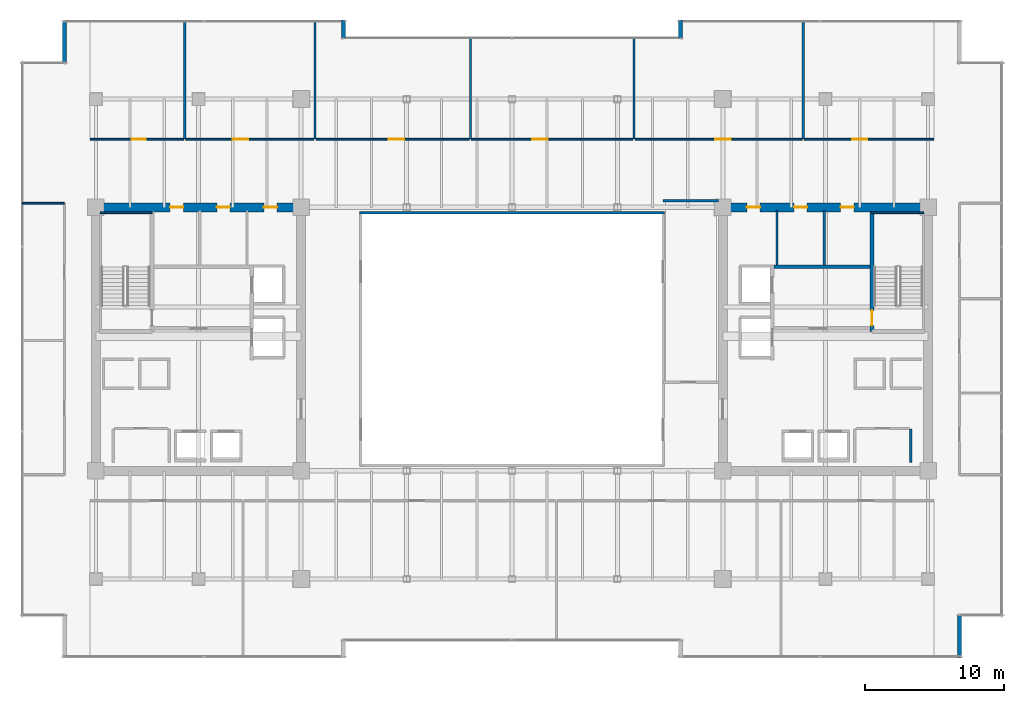
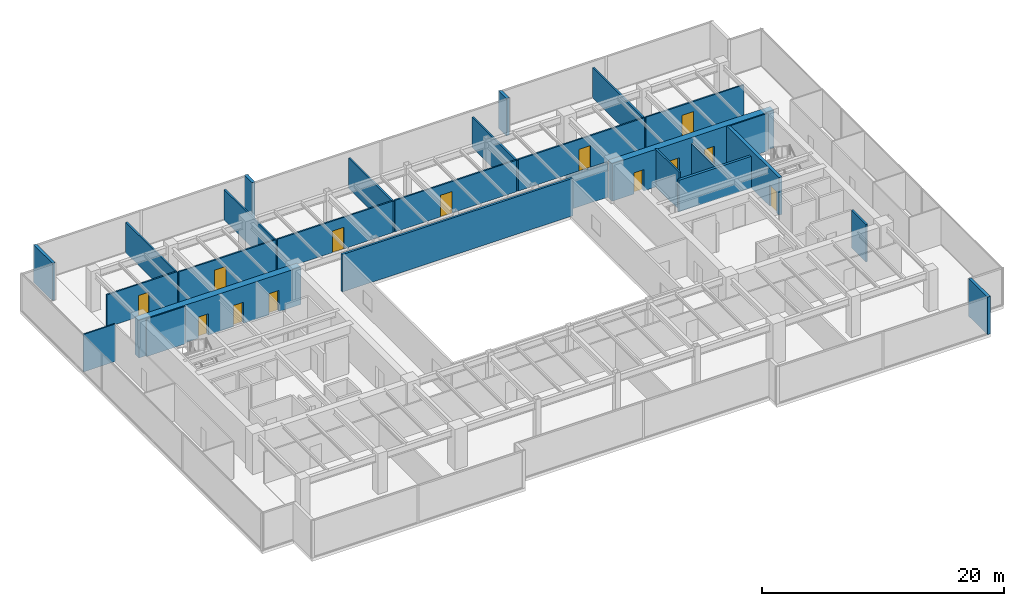
# One storey, part 27 of 33: 27 walls, 13 doors, 13 openings.
"""IFC4 building model written with IfcOpenShell, lengths in metres."""

from ifc_helpers import new_model, si_unit, direction, frame, frame_2d, origin, place, context, subcontext, project, spatial, rectangle, extrude, source, transform, mapped, material, layer, layer_set, type_object, type_shapes, element, fill, save


model = new_model("IFC4")

# Units and contexts
model_context = context("Model", 3, precision=1e-05, world=origin(), true_north=direction((0.0, 1.0)))
body_context = subcontext(model_context, "Body", "Model", "MODEL_VIEW")
ifc_project = project(units=[si_unit("LENGTHUNIT", "METRE"), si_unit("AREAUNIT", "SQUARE_METRE"), si_unit("VOLUMEUNIT", "CUBIC_METRE"), si_unit("PLANEANGLEUNIT", "RADIAN"), si_unit("MASSUNIT", "GRAM", prefix="KILO")], contexts=[model_context])

# Site, building, storey
site_placement = place(None, origin())
site = spatial("IfcSite", under=ifc_project, at=site_placement, CompositionType="ELEMENT")
building_placement = place(site_placement, origin())
building = spatial("IfcBuilding", under=site, at=building_placement, Name="Haelvirn Gate Laboratories", CompositionType="ELEMENT")
storey_placement = place(building_placement, frame((0.0, 0.0, 166.60009765625)))
storey = spatial("IfcBuildingStorey", under=building, at=storey_placement, Name="L40", CompositionType="ELEMENT", Elevation=166.60009765625)

# Walls
ifc_material_1 = material(Name="Thermally-broken bronze aluminium rainscreen & mineral wool", Category="aluminium")
ifc_layer_1 = layer(ifc_material_1, 0.280029296875, Name="EW-TERR-280")
ifc_layer_set_1 = layer_set([ifc_layer_1], Name="Thermally-broken bronze aluminium rainscreen & mineral wool")
wall_type_1 = type_object("IfcWallType", Name="EW-TERR-280", PredefinedType="STANDARD", material=ifc_layer_set_1)
wall_1_placement = place(storey_placement, frame((69.659912109375, 1.300048828125, 0.0), z_axis=(0.0, 0.0, 1.0), x_axis=(0.0, 1.0, 0.0)))
element("IfcWall", 1, at=wall_1_placement, inside=storey, type_object=wall_type_1, Name="L40 Atrium Recess Bronze Return Wall 05", PredefinedType="STANDARD", context=body_context, shape_type="SweptSolid", body=[
    extrude(rectangle(XDim=3.087890625, YDim=0.280029296875, at=frame_2d((1.5439453125, 0.0))), origin(), (0.0, 0.0, 1.0), 3.789794921875),
])
for number, where, z_axis, x_axis, name in (
    (2, (49.5400390625, 47.300048828125, 0.0), (0.0, 0.0, 1.0), (0.0, -1.0, 0.0), "L40 Atrium Recess Bronze Return Wall 11"),
    (3, (25.260009765625, 46.011962890625, 0.0), (0.0, 0.0, 1.0), (0.0, 1.0, 0.0), "L40 Atrium Recess Bronze Return Wall 13"),
):
    element("IfcWall", number, at=place(storey_placement, frame(where, z_axis=z_axis, x_axis=x_axis)), inside=storey, type_object=wall_type_1, Name=name, PredefinedType="STANDARD", context=body_context, shape_type="SweptSolid", body=[
        extrude(rectangle(XDim=1.2880859375, YDim=0.280029296875, at=frame_2d((0.64404296875, 0.0))), origin(), (0.0, 0.0, 1.0), 3.789794921875),
    ])
wall_2_placement = place(storey_placement, frame((5.139892578125, 47.300048828125, 0.0), z_axis=(0.0, 0.0, 1.0), x_axis=(0.0, -1.0, 0.0)))
element("IfcWall", 4, at=wall_2_placement, inside=storey, type_object=wall_type_1, Name="L40 Atrium Recess Bronze Return Wall 15", PredefinedType="STANDARD", context=body_context, shape_type="SweptSolid", body=[
    extrude(rectangle(XDim=3.088134765625, YDim=0.280029296875, at=frame_2d((1.5439453125, 0.0))), origin(), (0.0, 0.0, 1.0), 3.789794921875),
])
ifc_material_2 = material(Name="Double-layer acoustic gypsum laboratory partition", Category="gypsum")
ifc_layer_2 = layer(ifc_material_2, 0.159912109375, Name="IW-ACOUST-160")
ifc_layer_set_2 = layer_set([ifc_layer_2], Name="Double-layer acoustic gypsum laboratory partition")
wall_type_2 = type_object("IfcWallType", Name="IW-ACOUST-160", PredefinedType="PARTITIONING", material=ifc_layer_set_2)
for number, where, z_axis, x_axis, name in (
    (5, (13.800048828125, 38.705078125, 0.0), (0.0, 0.0, 1.0), (0.0, 1.0, 0.0), "L40 Interior Wall IW-L40-NDIV-01"),
    (6, (23.199951171875, 38.705078125, 0.0), (0.0, 0.0, 1.0), (0.0, 1.0, 0.0), "L40 Interior Wall IW-L40-NDIV-02"),
):
    element("IfcWall", number, at=place(storey_placement, frame(where, z_axis=z_axis, x_axis=x_axis)), inside=storey, type_object=wall_type_2, Name=name, PredefinedType="PARTITIONING", context=body_context, shape_type="SweptSolid", body=[
        extrude(rectangle(XDim=8.48486328125, YDim=0.159912109375, at=frame_2d((4.242431640625, 0.0))), origin(), (0.0, 0.0, 1.0), 3.074951171875),
    ])
for number, where, z_axis, x_axis, name in (
    (7, (34.39990234375, 38.705078125, 0.0), (0.0, 0.0, 1.0), (0.0, 1.0, 0.0), "L40 Interior Wall IW-L40-NDIV-03"),
    (8, (46.199951171875, 38.705078125, 0.0), (0.0, 0.0, 1.0), (0.0, 1.0, 0.0), "L40 Interior Wall IW-L40-NDIV-04"),
):
    element("IfcWall", number, at=place(storey_placement, frame(where, z_axis=z_axis, x_axis=x_axis)), inside=storey, type_object=wall_type_2, Name=name, PredefinedType="PARTITIONING", context=body_context, shape_type="SweptSolid", body=[
        extrude(rectangle(XDim=7.284912109375, YDim=0.159912109375, at=frame_2d((3.642578125, 0.0))), origin(), (0.0, 0.0, 1.0), 3.074951171875),
    ])
wall_3_placement = place(storey_placement, frame((58.39990234375, 38.705078125, 0.0), z_axis=(0.0, 0.0, 1.0), x_axis=(0.0, 1.0, 0.0)))
element("IfcWall", 9, at=wall_3_placement, inside=storey, type_object=wall_type_2, Name="L40 Interior Wall IW-L40-NDIV-05", PredefinedType="PARTITIONING", context=body_context, shape_type="SweptSolid", body=[
    extrude(rectangle(XDim=8.48486328125, YDim=0.159912109375, at=frame_2d((4.242431640625, 0.0))), origin(), (0.0, 0.0, 1.0), 3.074951171875),
])
ifc_material_3 = material(Name="Fire-rated acoustic gypsum board partition", Category="gypsum")
ifc_layer_3 = layer(ifc_material_3, 0.175048828125, Name="IW-ACOUST-180")
ifc_layer_set_3 = layer_set([ifc_layer_3], Name="Fire-rated acoustic gypsum board partition")
wall_type_3 = type_object("IfcWallType", Name="IW-ACOUST-180", PredefinedType="PARTITIONING", material=ifc_layer_set_3)
wall_4_placement = place(storey_placement, frame((48.300048828125, 34.260009765625, 0.0), z_axis=(0.0, 0.0, 1.0), x_axis=(1.0, 0.0, 0.0)))
element("IfcWall", 10, at=wall_4_placement, inside=storey, type_object=wall_type_3, Name="L40 Interior Wall IW-L40-ASEM-N", PredefinedType="PARTITIONING", context=body_context, shape_type="SweptSolid", body=[
    extrude(rectangle(XDim=3.974853515625, YDim=0.175048828125, at=frame_2d((1.9873046875, 0.0))), origin(), (0.0, 0.0, 1.0), 3.474853515625),
])
ifc_material_4 = material(Name="Tempered fire-rated borosilicate glass & anodised aluminium", Category="aluminium")
ifc_layer_4 = layer(ifc_material_4, 0.195068359375, Name="IW-GLAZ-200")
ifc_layer_set_4 = layer_set([ifc_layer_4], Name="Tempered fire-rated borosilicate glass & anodised aluminium")
wall_type_4 = type_object("IfcWallType", Name="IW-GLAZ-200", PredefinedType="SOLIDWALL", material=ifc_layer_set_4)
wall_5_placement = place(storey_placement, frame((26.39990234375, 33.39990234375, 0.0), z_axis=(0.0, 0.0, 1.0), x_axis=(1.0, 0.0, 0.0)))
element("IfcWall", 11, at=wall_5_placement, inside=storey, type_object=wall_type_4, Name="L40 Interior Wall IW-L40-ATRIUM-N", PredefinedType="SOLIDWALL", context=body_context, shape_type="SweptSolid", body=[
    extrude(rectangle(XDim=22.0, YDim=0.195068359375, at=frame_2d((11.0, 0.0))), origin(), (0.0, 0.0, 1.0), 3.789794921875),
])
ifc_material_5 = material(Name="Lightweight acoustic gypsum board partition", Category="gypsum")
ifc_layer_5 = layer(ifc_material_5, 0.1201171875, Name="IW-PART-120")
ifc_layer_set_5 = layer_set([ifc_layer_5], Name="Lightweight acoustic gypsum board partition")
wall_type_5 = type_object("IfcWallType", Name="IW-PART-120", PredefinedType="PARTITIONING", material=ifc_layer_set_5)
wall_6_placement = place(storey_placement, frame((2.110107421875, 34.0849609375, 0.0), z_axis=(0.0, 0.0, 1.0), x_axis=(1.0, 0.0, 0.0)))
element("IfcWall", 12, at=wall_6_placement, inside=storey, type_object=wall_type_5, Name="L40 Interior Wall IW-L40-WCAP-N", PredefinedType="PARTITIONING", context=body_context, shape_type="SweptSolid", body=[
    extrude(rectangle(XDim=3.019775390625, YDim=0.1201171875, at=frame_2d((1.509765625, 0.0))), origin(), (0.0, 0.0, 1.0), 3.789794921875),
])

# Wall, opening, door
ifc_material_6 = material(Name="Acoustic mineral-wool gypsum board partition", Category="gypsum")
ifc_layer_6 = layer(ifc_material_6, 0.139892578125, Name="IW-PART-140")
ifc_layer_set_6 = layer_set([ifc_layer_6], Name="Acoustic mineral-wool gypsum board partition")
wall_type_6 = type_object("IfcWallType", Name="IW-PART-140", PredefinedType="PARTITIONING", material=ifc_layer_set_6)
wall_7_placement = place(storey_placement, frame((6.97998046875, 38.705078125, 0.0), z_axis=(0.0, 0.0, 1.0), x_axis=(1.0, 0.0, 0.0)))
wall_7 = element("IfcWall", 13, at=wall_7_placement, inside=storey, type_object=wall_type_6, Name="L40 Interior Wall IW-L40-NCORR-01", PredefinedType="PARTITIONING", context=body_context, shape_type="SweptSolid", body=[
    extrude(rectangle(XDim=6.739990234375, YDim=0.139892578125, at=frame_2d((3.3701171875, 0.0))), origin(), (0.0, 0.0, 1.0), 3.27490234375),
])
opening_1_placement = place(wall_7_placement, frame((3.021240234375, 0.0, 0.0)))
opening_1 = element("IfcOpeningElement", 14, at=opening_1_placement, cuts=wall_7, Name="Opening D2", PredefinedType="OPENING", context=body_context, shape_type="SweptSolid", body=[
    extrude(rectangle(XDim=1.0, YDim=2.14990234375, at=frame_2d((0.5, 1.074951171875))), frame((0.0, 0.080078125, 0.0), z_axis=(0.0, -1.0, 0.0), x_axis=(1.0, 0.0, 0.0)), (0.0, 0.0, 1.0), 0.159912109375),
])
ifc_material_7 = material(Name="Acoustic solid-core timber suite door", Category="wood")
door_type_1 = type_object("IfcDoorType", Name="DR-INT-1000", OperationType="NOTDEFINED", PredefinedType="DOOR", material=ifc_material_7)
shared_shape_1 = source(origin(), body_context, "Body", "SweptSolid", [
    extrude(rectangle(XDim=1.0, YDim=2.14990234375, at=frame_2d((0.5, 1.074951171875))), frame((0.0, 0.02490234375, 0.0), z_axis=(0.0, -1.0, 0.0), x_axis=(1.0, 0.0, 0.0)), (0.0, 0.0, 1.0), 0.050048828125),
])
type_shapes(door_type_1, [shared_shape_1])
door_1_placement = place(opening_1_placement, origin())
door_1 = element("IfcDoor", 15, at=door_1_placement, inside=storey, type_object=door_type_1, Name="L40 Colloquium Conference Room Door N1", OperationType="SINGLE_SWING_RIGHT", OverallHeight=2.14990234375, OverallWidth=1.0, PredefinedType="DOOR", context=body_context, shape_type="MappedRepresentation", body=[
    mapped(shared_shape_1, transform((0.0, 0.0, 0.0), scale=1.0)),
])
fill(opening_1, door_1)

wall_8_placement = place(storey_placement, frame((13.8798828125, 38.705078125, 0.0), z_axis=(0.0, 0.0, 1.0), x_axis=(1.0, 0.0, 0.0)))
wall_8 = element("IfcWall", 16, at=wall_8_placement, inside=storey, type_object=wall_type_6, Name="L40 Interior Wall IW-L40-NCORR-02", PredefinedType="PARTITIONING", context=body_context, shape_type="SweptSolid", body=[
    extrude(rectangle(XDim=9.240234375, YDim=0.139892578125, at=frame_2d((4.6201171875, 0.0))), origin(), (0.0, 0.0, 1.0), 3.18701171875),
])
opening_2_placement = place(wall_8_placement, frame((3.400390625, 0.0, 0.0)))
opening_2 = element("IfcOpeningElement", 17, at=opening_2_placement, cuts=wall_8, Name="Opening D1", PredefinedType="OPENING", context=body_context, shape_type="SweptSolid", body=[
    extrude(rectangle(XDim=1.10009765625, YDim=2.179931640625, at=frame_2d((0.550048828125, 1.08984375))), frame((0.0, 0.080078125, 0.0), z_axis=(0.0, -1.0, 0.0), x_axis=(1.0, 0.0, 0.0)), (0.0, 0.0, 1.0), 0.159912109375),
])
ifc_material_8 = material(Name="Vision-panel acoustic solid-core timber lab door", Category="wood")
door_type_2 = type_object("IfcDoorType", Name="DR-LAB-1100", OperationType="NOTDEFINED", PredefinedType="DOOR", material=ifc_material_8)
shared_shape_2 = source(origin(), body_context, "Body", "SweptSolid", [
    extrude(rectangle(XDim=1.10009765625, YDim=2.179931640625, at=frame_2d((0.550048828125, 1.08984375))), frame((0.0, 0.02490234375, 0.0), z_axis=(0.0, -1.0, 0.0), x_axis=(1.0, 0.0, 0.0)), (0.0, 0.0, 1.0), 0.050048828125),
])
type_shapes(door_type_2, [shared_shape_2])
door_2_placement = place(opening_2_placement, origin())
door_2 = element("IfcDoor", 18, at=door_2_placement, inside=storey, type_object=door_type_2, Name="L40 Protocol Briefing Training Room Door N2", OperationType="SINGLE_SWING_LEFT", OverallHeight=2.179931640625, OverallWidth=1.10009765625, PredefinedType="DOOR", context=body_context, shape_type="MappedRepresentation", body=[
    mapped(shared_shape_2, transform((0.0, 0.0, 0.0), scale=1.0)),
])
fill(opening_2, door_2)

wall_9_placement = place(storey_placement, frame((23.280029296875, 38.705078125, 0.0), z_axis=(0.0, 0.0, 1.0), x_axis=(1.0, 0.0, 0.0)))
wall_9 = element("IfcWall", 19, at=wall_9_placement, inside=storey, type_object=wall_type_6, Name="L40 Interior Wall IW-L40-NCORR-03", PredefinedType="PARTITIONING", context=body_context, shape_type="SweptSolid", body=[
    extrude(rectangle(XDim=11.0400390625, YDim=0.139892578125, at=frame_2d((5.52001953125, 0.0))), origin(), (0.0, 0.0, 1.0), 3.18701171875),
])
opening_3_placement = place(wall_9_placement, frame((5.247314453125, 0.0, 0.0)))
opening_3 = element("IfcOpeningElement", 20, at=opening_3_placement, cuts=wall_9, Name="Opening D1", PredefinedType="OPENING", context=body_context, shape_type="SweptSolid", body=[
    extrude(rectangle(XDim=1.10009765625, YDim=2.179931640625, at=frame_2d((0.550048828125, 1.08984375))), frame((0.0, 0.080078125, 0.0), z_axis=(0.0, -1.0, 0.0), x_axis=(1.0, 0.0, 0.0)), (0.0, 0.0, 1.0), 0.159912109375),
])
door_3_placement = place(opening_3_placement, origin())
door_3 = element("IfcDoor", 21, at=door_3_placement, inside=storey, type_object=door_type_2, Name="L40 Peer-Review Seminar Room Door N3", OperationType="SINGLE_SWING_RIGHT", OverallHeight=2.179931640625, OverallWidth=1.10009765625, PredefinedType="DOOR", context=body_context, shape_type="MappedRepresentation", body=[
    mapped(shared_shape_2, transform((0.0, 0.0, 0.0), scale=1.0)),
])
fill(opening_3, door_3)

wall_10_placement = place(storey_placement, frame((34.47998046875, 38.705078125, 0.0), z_axis=(0.0, 0.0, 1.0), x_axis=(1.0, 0.0, 0.0)))
wall_10 = element("IfcWall", 22, at=wall_10_placement, inside=storey, type_object=wall_type_6, Name="L40 Interior Wall IW-L40-NCORR-04", PredefinedType="PARTITIONING", context=body_context, shape_type="SweptSolid", body=[
    extrude(rectangle(XDim=11.64013671875, YDim=0.139892578125, at=frame_2d((5.820068359375, 0.0))), origin(), (0.0, 0.0, 1.0), 3.18701171875),
])
opening_4_placement = place(wall_10_placement, frame((4.384521484375, 0.0, 0.0)))
opening_4 = element("IfcOpeningElement", 23, at=opening_4_placement, cuts=wall_10, Name="Opening D1", PredefinedType="OPENING", context=body_context, shape_type="SweptSolid", body=[
    extrude(rectangle(XDim=1.10009765625, YDim=2.179931640625, at=frame_2d((0.550048828125, 1.08984375))), frame((0.0, 0.080078125, 0.0), z_axis=(0.0, -1.0, 0.0), x_axis=(1.0, 0.0, 0.0)), (0.0, 0.0, 1.0), 0.159912109375),
])
door_4_placement = place(opening_4_placement, origin())
door_4 = element("IfcDoor", 24, at=door_4_placement, inside=storey, type_object=door_type_2, Name="L40 Colloquium Conference Room Door N4", OperationType="SINGLE_SWING_LEFT", OverallHeight=2.179931640625, OverallWidth=1.10009765625, PredefinedType="DOOR", context=body_context, shape_type="MappedRepresentation", body=[
    mapped(shared_shape_2, transform((0.0, 0.0, 0.0), scale=1.0)),
])
fill(opening_4, door_4)

wall_11_placement = place(storey_placement, frame((46.280029296875, 38.705078125, 0.0), z_axis=(0.0, 0.0, 1.0), x_axis=(1.0, 0.0, 0.0)))
wall_11 = element("IfcWall", 25, at=wall_11_placement, inside=storey, type_object=wall_type_6, Name="L40 Interior Wall IW-L40-NCORR-05", PredefinedType="PARTITIONING", context=body_context, shape_type="SweptSolid", body=[
    extrude(rectangle(XDim=12.0400390625, YDim=0.139892578125, at=frame_2d((6.02001953125, 0.0))), origin(), (0.0, 0.0, 1.0), 3.18701171875),
])
opening_5_placement = place(wall_11_placement, frame((5.777099609375, 0.0, 0.0)))
opening_5 = element("IfcOpeningElement", 26, at=opening_5_placement, cuts=wall_11, Name="Opening D1", PredefinedType="OPENING", context=body_context, shape_type="SweptSolid", body=[
    extrude(rectangle(XDim=1.10009765625, YDim=2.179931640625, at=frame_2d((0.550048828125, 1.08984375))), frame((0.0, 0.080078125, 0.0), z_axis=(0.0, -1.0, 0.0), x_axis=(1.0, 0.0, 0.0)), (0.0, 0.0, 1.0), 0.159912109375),
])
door_5_placement = place(opening_5_placement, origin())
door_5 = element("IfcDoor", 27, at=door_5_placement, inside=storey, type_object=door_type_2, Name="L40 Cryo-EM Imaging Suite Door N5", OperationType="SINGLE_SWING_RIGHT", OverallHeight=2.179931640625, OverallWidth=1.10009765625, PredefinedType="DOOR", context=body_context, shape_type="MappedRepresentation", body=[
    mapped(shared_shape_2, transform((0.0, 0.0, 0.0), scale=1.0)),
])
fill(opening_5, door_5)

wall_12_placement = place(storey_placement, frame((58.47998046875, 38.705078125, 0.0), z_axis=(0.0, 0.0, 1.0), x_axis=(1.0, 0.0, 0.0)))
wall_12 = element("IfcWall", 28, at=wall_12_placement, inside=storey, type_object=wall_type_6, Name="L40 Interior Wall IW-L40-NCORR-06", PredefinedType="PARTITIONING", context=body_context, shape_type="SweptSolid", body=[
    extrude(rectangle(XDim=9.340087890625, YDim=0.139892578125, at=frame_2d((4.669921875, 0.0))), origin(), (0.0, 0.0, 1.0), 3.18701171875),
])
opening_6_placement = place(wall_12_placement, frame((3.44140625, 0.0, 0.0)))
opening_6 = element("IfcOpeningElement", 29, at=opening_6_placement, cuts=wall_12, Name="Opening D1", PredefinedType="OPENING", context=body_context, shape_type="SweptSolid", body=[
    extrude(rectangle(XDim=1.10009765625, YDim=2.179931640625, at=frame_2d((0.550048828125, 1.08984375))), frame((0.0, 0.080078125, 0.0), z_axis=(0.0, -1.0, 0.0), x_axis=(1.0, 0.0, 0.0)), (0.0, 0.0, 1.0), 0.159912109375),
])
door_6_placement = place(opening_6_placement, origin())
door_6 = element("IfcDoor", 30, at=door_6_placement, inside=storey, type_object=door_type_2, Name="L40 Analytical Instrument Suite Door N6", OperationType="SINGLE_SWING_LEFT", OverallHeight=2.179931640625, OverallWidth=1.10009765625, PredefinedType="DOOR", context=body_context, shape_type="MappedRepresentation", body=[
    mapped(shared_shape_2, transform((0.0, 0.0, 0.0), scale=1.0)),
])
fill(opening_6, door_6)

# Walls
ifc_material_9 = material(Name="Cement-board restroom plumbing chase wall", Category="gypsum")
ifc_layer_7 = layer(ifc_material_9, 0.155029296875, Name="IW-PLUMB-160")
ifc_layer_set_7 = layer_set([ifc_layer_7], Name="Cement-board restroom plumbing chase wall")
wall_type_7 = type_object("IfcWallType", Name="IW-PLUMB-160", PredefinedType="PLUMBINGWALL", material=ifc_layer_set_7)
wall_13_placement = place(storey_placement, frame((59.909912109375, 29.64990234375, 0.0), z_axis=(0.0, 0.0, 1.0), x_axis=(0.0, 1.0, 0.0)))
element("IfcWall", 31, at=wall_13_placement, inside=storey, type_object=wall_type_7, Name="L40 Interior Wall IW-L40-E-CDIV-1", PredefinedType="PLUMBINGWALL", context=body_context, shape_type="SweptSolid", body=[
    extrude(rectangle(XDim=3.93017578125, YDim=0.155029296875, at=frame_2d((1.965087890625, 0.0))), origin(), (0.0, 0.0, 1.0), 3.18701171875),
])
wall_14_placement = place(storey_placement, frame((56.510009765625, 29.64990234375, 0.0), z_axis=(0.0, 0.0, 1.0), x_axis=(0.0, 1.0, 0.0)))
element("IfcWall", 32, at=wall_14_placement, inside=storey, type_object=wall_type_7, Name="L40 Interior Wall IW-L40-E-CDIV-2", PredefinedType="PLUMBINGWALL", context=body_context, shape_type="SweptSolid", body=[
    extrude(rectangle(XDim=3.93017578125, YDim=0.155029296875, at=frame_2d((1.965087890625, 0.0))), origin(), (0.0, 0.0, 1.0), 3.789794921875),
])
ifc_material_10 = material(Name="Concrete C40/50", Category="concrete")
ifc_layer_8 = layer(ifc_material_10, 0.179931640625, Name="IW-SHAFT-180")
ifc_layer_set_8 = layer_set([ifc_layer_8], Name="Concrete C40/50")
wall_type_8 = type_object("IfcWallType", Name="IW-SHAFT-180", PredefinedType="SOLIDWALL", material=ifc_layer_set_8)
wall_15_placement = place(storey_placement, frame((66.139892578125, 15.39990234375, 0.0), z_axis=(0.0, 0.0, 1.0), x_axis=(0.0, 1.0, 0.0)))
element("IfcWall", 33, at=wall_15_placement, inside=storey, type_object=wall_type_8, Name="L40 Interior Wall IW-L40-E-FREED-LW-1", PredefinedType="SOLIDWALL", context=body_context, shape_type="SweptSolid", body=[
    extrude(rectangle(XDim=2.400146484375, YDim=0.179931640625, at=frame_2d((1.2001953125, 0.0))), origin(), (0.0, 0.0, 1.0), 3.789794921875),
])
ifc_layer_9 = layer(ifc_material_10, 0.239990234375, Name="IW-SHAFT-240")
ifc_layer_set_9 = layer_set([ifc_layer_9], Name="Concrete C40/50")
wall_type_9 = type_object("IfcWallType", Name="IW-SHAFT-240", PredefinedType="SOLIDWALL", material=ifc_layer_set_9)
wall_16_placement = place(storey_placement, frame((56.280029296875, 29.52001953125, 0.0), z_axis=(0.0, 0.0, 1.0), x_axis=(1.0, 0.0, 0.0)))
element("IfcWall", 34, at=wall_16_placement, inside=storey, type_object=wall_type_9, Name="L40 Interior Wall IW-L40-E-FF-N", PredefinedType="SOLIDWALL", context=body_context, shape_type="SweptSolid", body=[
    extrude(rectangle(XDim=6.919921875, YDim=0.239990234375, at=frame_2d((3.4599609375, 0.0))), origin(), (0.0, 0.0, 1.0), 3.18701171875),
])

# Wall, openings, doors
ifc_material_11 = material(Name="Concrete C60/75", Category="concrete")
ifc_layer_10 = layer(ifc_material_11, 0.64990234375, Name="SW-CORE-650")
ifc_layer_set_10 = layer_set([ifc_layer_10], Name="Concrete C60/75")
wall_type_10 = type_object("IfcWallType", Name="SW-CORE-650", PredefinedType="SHEAR", material=ifc_layer_set_10)
wall_17_placement = place(storey_placement, frame((7.074951171875, 33.800048828125, 0.0), z_axis=(0.0, 0.0, 1.0), x_axis=(1.0, 0.0, 0.0)))
wall_17 = element("IfcWall", 35, at=wall_17_placement, inside=storey, type_object=wall_type_10, Name="L40 W Core Shear Wall N", PredefinedType="SHEAR", context=body_context, shape_type="SweptSolid", body=[
    extrude(rectangle(XDim=15.449951171875, YDim=0.64990234375, at=frame_2d((7.72509765625, 0.0))), origin(), (0.0, 0.0, 1.0), 3.789794921875),
])
opening_7_placement = place(wall_17_placement, frame((5.675048828125, 0.0, 0.0)))
opening_7 = element("IfcOpeningElement", 36, at=opening_7_placement, cuts=wall_17, Name="Opening FD4", PredefinedType="OPENING", context=body_context, shape_type="SweptSolid", body=[
    extrude(rectangle(XDim=0.949951171875, YDim=2.14990234375, at=frame_2d((0.47509765625, 1.074951171875))), frame((0.0, 0.3349609375, 0.0), z_axis=(0.0, -1.0, 0.0), x_axis=(1.0, 0.0, 0.0)), (0.0, 0.0, 1.0), 0.669921875),
])
opening_8_placement = place(wall_17_placement, frame((9.0400390625, 0.0, 0.0)))
opening_8 = element("IfcOpeningElement", 37, at=opening_8_placement, cuts=wall_17, Name="Opening FD4", PredefinedType="OPENING", context=body_context, shape_type="SweptSolid", body=[
    extrude(rectangle(XDim=0.949951171875, YDim=2.14990234375, at=frame_2d((0.47509765625, 1.074951171875))), frame((0.0, 0.3349609375, 0.0), z_axis=(0.0, -1.0, 0.0), x_axis=(1.0, 0.0, 0.0)), (0.0, 0.0, 1.0), 0.669921875),
])
opening_9_placement = place(wall_17_placement, frame((12.43994140625, 0.0, 0.0)))
opening_9 = element("IfcOpeningElement", 38, at=opening_9_placement, cuts=wall_17, Name="Opening FD4", PredefinedType="OPENING", context=body_context, shape_type="SweptSolid", body=[
    extrude(rectangle(XDim=0.949951171875, YDim=2.14990234375, at=frame_2d((0.47509765625, 1.074951171875))), frame((0.0, 0.3349609375, 0.0), z_axis=(0.0, -1.0, 0.0), x_axis=(1.0, 0.0, 0.0)), (0.0, 0.0, 1.0), 0.669921875),
])
ifc_material_12 = material(Name="Fire-rated steel SM355 core service door", Category="steel")
door_type_3 = type_object("IfcDoorType", Name="DR-FD-950", OperationType="NOTDEFINED", PredefinedType="DOOR", material=ifc_material_12)
shared_shape_3 = source(origin(), body_context, "Body", "SweptSolid", [
    extrude(rectangle(XDim=0.949951171875, YDim=2.14990234375, at=frame_2d((0.47509765625, 1.074951171875))), frame((0.0, 0.02490234375, 0.0), z_axis=(0.0, -1.0, 0.0), x_axis=(1.0, 0.0, 0.0)), (0.0, 0.0, 1.0), 0.050048828125),
])
type_shapes(door_type_3, [shared_shape_3])
door_7_placement = place(opening_7_placement, origin())
door_7 = element("IfcDoor", 39, at=door_7_placement, inside=storey, type_object=door_type_3, Name="L40 Male Restroom Fire Door", OperationType="SINGLE_SWING_LEFT", OverallHeight=2.14990234375, OverallWidth=0.949951171875, PredefinedType="DOOR", context=body_context, shape_type="MappedRepresentation", body=[
    mapped(shared_shape_3, transform((0.0, 0.0, 0.0), scale=1.0)),
])
fill(opening_7, door_7)
door_8_placement = place(opening_8_placement, origin())
door_8 = element("IfcDoor", 40, at=door_8_placement, inside=storey, type_object=door_type_3, Name="L40 Female Restroom Fire Door", OperationType="SINGLE_SWING_RIGHT", OverallHeight=2.14990234375, OverallWidth=0.949951171875, PredefinedType="DOOR", context=body_context, shape_type="MappedRepresentation", body=[
    mapped(shared_shape_3, transform((0.0, 0.0, 0.0), scale=1.0)),
])
fill(opening_8, door_8)
door_9_placement = place(opening_9_placement, origin())
door_9 = element("IfcDoor", 41, at=door_9_placement, inside=storey, type_object=door_type_3, Name="L40 Accessible Restroom Fire Door", OperationType="SINGLE_SWING_LEFT", OverallHeight=2.14990234375, OverallWidth=0.949951171875, PredefinedType="DOOR", context=body_context, shape_type="MappedRepresentation", body=[
    mapped(shared_shape_3, transform((0.0, 0.0, 0.0), scale=1.0)),
])
fill(opening_9, door_9)

wall_18_placement = place(storey_placement, frame((52.27490234375, 33.800048828125, 0.0), z_axis=(0.0, 0.0, 1.0), x_axis=(1.0, 0.0, 0.0)))
wall_18 = element("IfcWall", 42, at=wall_18_placement, inside=storey, type_object=wall_type_10, Name="L40 E Core Shear Wall N", PredefinedType="SHEAR", context=body_context, shape_type="SweptSolid", body=[
    extrude(rectangle(XDim=15.4501953125, YDim=0.64990234375, at=frame_2d((7.72509765625, 0.0))), origin(), (0.0, 0.0, 1.0), 3.789794921875),
])
opening_10_placement = place(wall_18_placement, frame((8.824951171875, 0.0, 0.0)))
opening_10 = element("IfcOpeningElement", 43, at=opening_10_placement, cuts=wall_18, Name="Opening FD4", PredefinedType="OPENING", context=body_context, shape_type="SweptSolid", body=[
    extrude(rectangle(XDim=0.949951171875, YDim=2.14990234375, at=frame_2d((0.47509765625, 1.074951171875))), frame((0.0, 0.3349609375, 0.0), z_axis=(0.0, -1.0, 0.0), x_axis=(1.0, 0.0, 0.0)), (0.0, 0.0, 1.0), 0.669921875),
])
opening_11_placement = place(wall_18_placement, frame((5.4599609375, 0.0, 0.0)))
opening_11 = element("IfcOpeningElement", 44, at=opening_11_placement, cuts=wall_18, Name="Opening FD4", PredefinedType="OPENING", context=body_context, shape_type="SweptSolid", body=[
    extrude(rectangle(XDim=0.949951171875, YDim=2.14990234375, at=frame_2d((0.47509765625, 1.074951171875))), frame((0.0, 0.3349609375, 0.0), z_axis=(0.0, -1.0, 0.0), x_axis=(1.0, 0.0, 0.0)), (0.0, 0.0, 1.0), 0.669921875),
])
opening_12_placement = place(wall_18_placement, frame((2.06005859375, 0.0, 0.0)))
opening_12 = element("IfcOpeningElement", 45, at=opening_12_placement, cuts=wall_18, Name="Opening FD4", PredefinedType="OPENING", context=body_context, shape_type="SweptSolid", body=[
    extrude(rectangle(XDim=0.949951171875, YDim=2.14990234375, at=frame_2d((0.47509765625, 1.074951171875))), frame((0.0, 0.3349609375, 0.0), z_axis=(0.0, -1.0, 0.0), x_axis=(1.0, 0.0, 0.0)), (0.0, 0.0, 1.0), 0.669921875),
])
door_10_placement = place(opening_10_placement, origin())
door_10 = element("IfcDoor", 46, at=door_10_placement, inside=storey, type_object=door_type_3, Name="L40 Male Restroom Fire Door", OperationType="SINGLE_SWING_LEFT", OverallHeight=2.14990234375, OverallWidth=0.949951171875, PredefinedType="DOOR", context=body_context, shape_type="MappedRepresentation", body=[
    mapped(shared_shape_3, transform((0.0, 0.0, 0.0), scale=1.0)),
])
fill(opening_10, door_10)
door_11_placement = place(opening_11_placement, origin())
door_11 = element("IfcDoor", 47, at=door_11_placement, inside=storey, type_object=door_type_3, Name="L40 Female Restroom Fire Door", OperationType="SINGLE_SWING_RIGHT", OverallHeight=2.14990234375, OverallWidth=0.949951171875, PredefinedType="DOOR", context=body_context, shape_type="MappedRepresentation", body=[
    mapped(shared_shape_3, transform((0.0, 0.0, 0.0), scale=1.0)),
])
fill(opening_11, door_11)
door_12_placement = place(opening_12_placement, origin())
door_12 = element("IfcDoor", 48, at=door_12_placement, inside=storey, type_object=door_type_3, Name="L40 Accessible Restroom Fire Door", OperationType="SINGLE_SWING_LEFT", OverallHeight=2.14990234375, OverallWidth=0.949951171875, PredefinedType="DOOR", context=body_context, shape_type="MappedRepresentation", body=[
    mapped(shared_shape_3, transform((0.0, 0.0, 0.0), scale=1.0)),
])
fill(opening_12, door_12)

# Walls
ifc_material_13 = material(Name="Concrete C50/60", Category="concrete")
ifc_layer_11 = layer(ifc_material_13, 0.1201171875, Name="SW-LINER-120")
ifc_layer_set_11 = layer_set([ifc_layer_11], Name="Concrete C50/60")
wall_type_11 = type_object("IfcWallType", Name="SW-LINER-120", PredefinedType="SOLIDWALL", material=ifc_layer_set_11)
for number, where, z_axis, x_axis, name in (
    (49, (7.72998046875, 33.39990234375, 0.0), (0.0, 0.0, 1.0), (1.0, 0.0, 0.0), "L40 W Core Stair Shaft Liner Wall N"),
    (50, (63.35009765625, 33.39990234375, 0.0), (0.0, 0.0, 1.0), (1.0, 0.0, 0.0), "L40 E Core Stair Shaft Liner Wall N"),
):
    element("IfcWall", number, at=place(storey_placement, frame(where, z_axis=z_axis, x_axis=x_axis)), inside=storey, type_object=wall_type_11, Name=name, PredefinedType="SOLIDWALL", context=body_context, shape_type="SweptSolid", body=[
        extrude(rectangle(XDim=3.719970703125, YDim=0.1201171875, at=frame_2d((1.85986328125, 0.0))), origin(), (0.0, 0.0, 1.0), 3.789794921875),
    ])

# Wall, opening, door
ifc_layer_12 = layer(ifc_material_13, 0.300048828125, Name="SW-STAIR-300")
ifc_layer_set_12 = layer_set([ifc_layer_12], Name="Concrete C50/60")
wall_type_12 = type_object("IfcWallType", Name="SW-STAIR-300", PredefinedType="SHEAR", material=ifc_layer_set_12)
wall_19_placement = place(storey_placement, frame((63.35009765625, 24.85009765625, 0.0), z_axis=(0.0, 0.0, 1.0), x_axis=(0.0, 1.0, 0.0)))
wall_19 = element("IfcWall", 51, at=wall_19_placement, inside=storey, type_object=wall_type_12, Name="L40 E Core Stair Shaft Structural Wall IN", PredefinedType="SHEAR", context=body_context, shape_type="SweptSolid", body=[
    extrude(rectangle(XDim=8.6298828125, YDim=0.300048828125, at=frame_2d((4.31494140625, 0.0))), origin(), (0.0, 0.0, 1.0), 3.789794921875),
])
opening_13_placement = place(wall_19_placement, frame((0.419921875, 0.0, 0.0)))
opening_13 = element("IfcOpeningElement", 52, at=opening_13_placement, cuts=wall_19, Name="Opening FD3", PredefinedType="OPENING", context=body_context, shape_type="SweptSolid", body=[
    extrude(rectangle(XDim=1.10009765625, YDim=2.14990234375, at=frame_2d((0.550048828125, 1.074951171875))), frame((0.0, 0.16015625, 0.0), z_axis=(0.0, -1.0, 0.0), x_axis=(1.0, 0.0, 0.0)), (0.0, 0.0, 1.0), 0.320068359375),
])
ifc_material_14 = material(Name="Fire-rated steel SM355 escape stair door", Category="steel")
door_type_4 = type_object("IfcDoorType", Name="DR-FD-1100", OperationType="NOTDEFINED", PredefinedType="DOOR", material=ifc_material_14)
shared_shape_4 = source(origin(), body_context, "Body", "SweptSolid", [
    extrude(rectangle(XDim=1.10009765625, YDim=2.14990234375, at=frame_2d((0.550048828125, 1.074951171875))), frame((0.0, 0.02490234375, 0.0), z_axis=(0.0, -1.0, 0.0), x_axis=(1.0, 0.0, 0.0)), (0.0, 0.0, 1.0), 0.050048828125),
])
type_shapes(door_type_4, [shared_shape_4])
door_13_placement = place(opening_13_placement, origin())
door_13 = element("IfcDoor", 53, at=door_13_placement, inside=storey, type_object=door_type_4, Name="L40 Escape Stair ST2 Fire Door", OperationType="SINGLE_SWING_RIGHT", OverallHeight=2.14990234375, OverallWidth=1.10009765625, PredefinedType="DOOR", context=body_context, shape_type="MappedRepresentation", body=[
    mapped(shared_shape_4, transform((0.0, 0.0, 0.0), scale=1.0)),
])
fill(opening_13, door_13)

save(model, "model.ifc")
